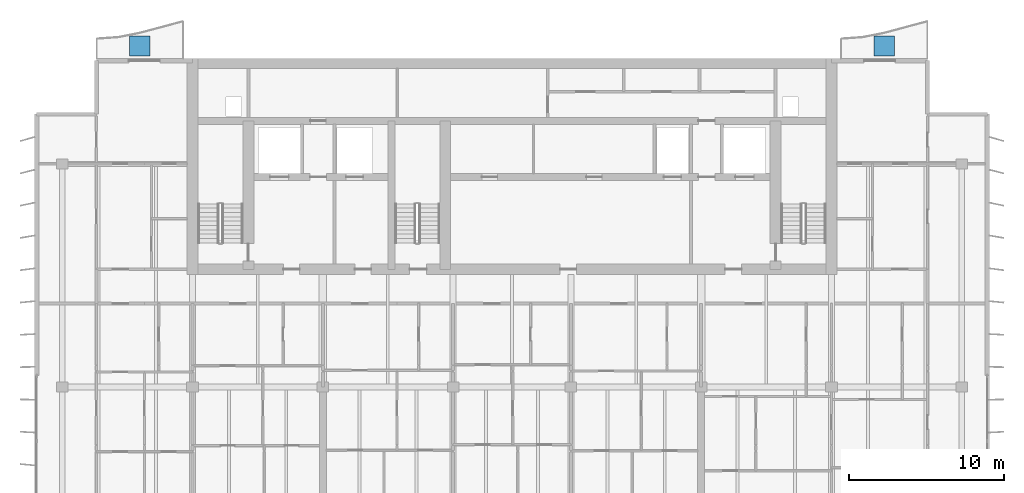
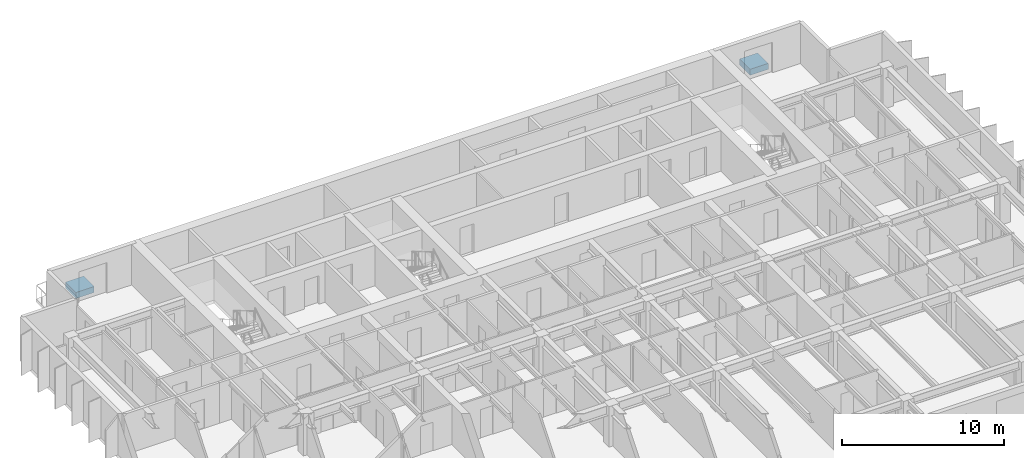
# One storey, part 12 of 17: 2 discrete accessories.
"""IFC4 building model written with IfcOpenShell, lengths in metres."""

from ifc_helpers import new_model, si_unit, direction, frame, origin, origin_2d, place, context, subcontext, project, spatial, rectangle, extrude, material, type_object, element, save


model = new_model("IFC4")

# Units and contexts
model_context = context("Model", 3, precision=1e-05, world=origin(), true_north=direction((0.0, 1.0)))
body_context = subcontext(model_context, "Body", "Model", "MODEL_VIEW")
ifc_project = project(units=[si_unit("LENGTHUNIT", "METRE"), si_unit("AREAUNIT", "SQUARE_METRE"), si_unit("VOLUMEUNIT", "CUBIC_METRE"), si_unit("PLANEANGLEUNIT", "RADIAN"), si_unit("MASSUNIT", "GRAM", prefix="KILO")], contexts=[model_context])

# Site, building, storey
site_placement = place(None, origin())
site = spatial("IfcSite", under=ifc_project, at=site_placement, CompositionType="ELEMENT")
building_placement = place(site_placement, origin())
building = spatial("IfcBuilding", under=site, at=building_placement, Name="Caelmar Bay Residences", CompositionType="ELEMENT")
storey_placement = place(building_placement, frame((0.0, 0.0, 262.800048828125)))
storey = spatial("IfcBuildingStorey", under=building, at=storey_placement, Name="L74", CompositionType="ELEMENT", Elevation=262.800048828125)

# Discrete accessories
ifc_material = material(Name="Precast concrete f'c 40 MPa (6,000 psi)", Category="concrete")
discrete_accessory_type = type_object("IfcDiscreteAccessoryType", Name="STR-PLANTER-KERB-450", PredefinedType="USERDEFINED", material=ifc_material)
for number, where, z_axis, x_axis, name in (
    (1, (14.89990234375, 51.39990234375, 0.0), (0.0, 0.0, 1.0), (1.0, 0.0, 0.0), "L74 north_west Structural Tree Planter Kerb"),
    (2, (62.89990234375, 51.39990234375, 0.0), (0.0, 0.0, 1.0), (1.0, 0.0, 0.0), "L74 north_east Structural Tree Planter Kerb"),
):
    element("IfcDiscreteAccessory", number, at=place(storey_placement, frame(where, z_axis=z_axis, x_axis=x_axis)), inside=storey, type_object=discrete_accessory_type, Name=name, ObjectType="PLANTER", PredefinedType="USERDEFINED", context=body_context, shape_type="SweptSolid", body=[
        extrude(rectangle(XDim=1.300048828125, YDim=1.300048828125, at=origin_2d()), origin(), (0.0, 0.0, 1.0), 0.449951171875),
    ])

save(model, "model.ifc")
